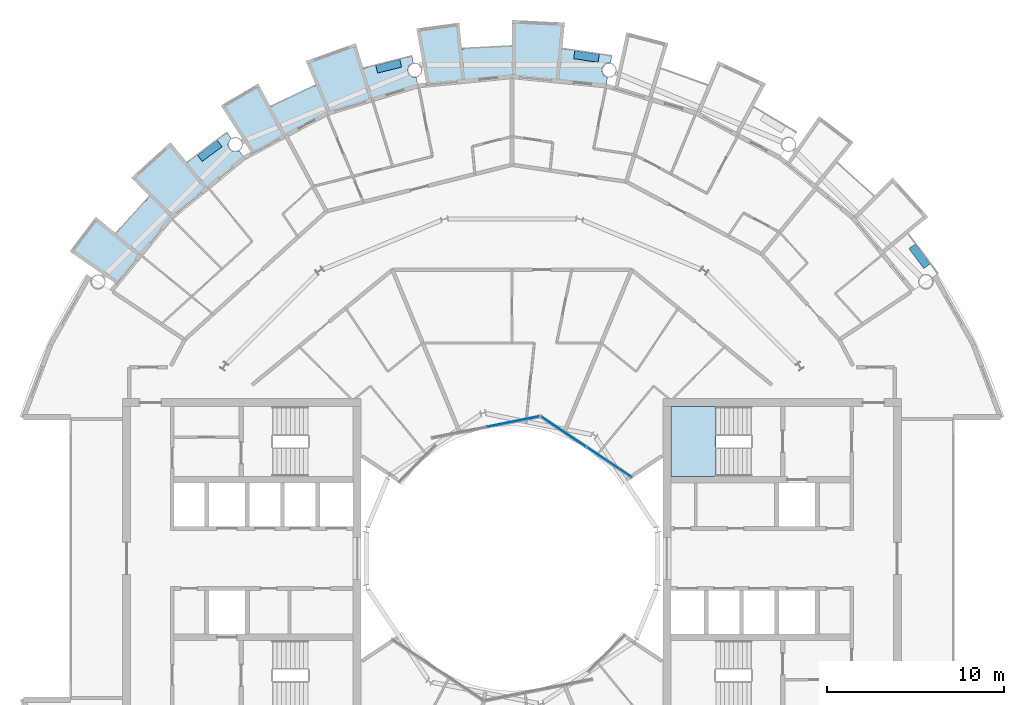
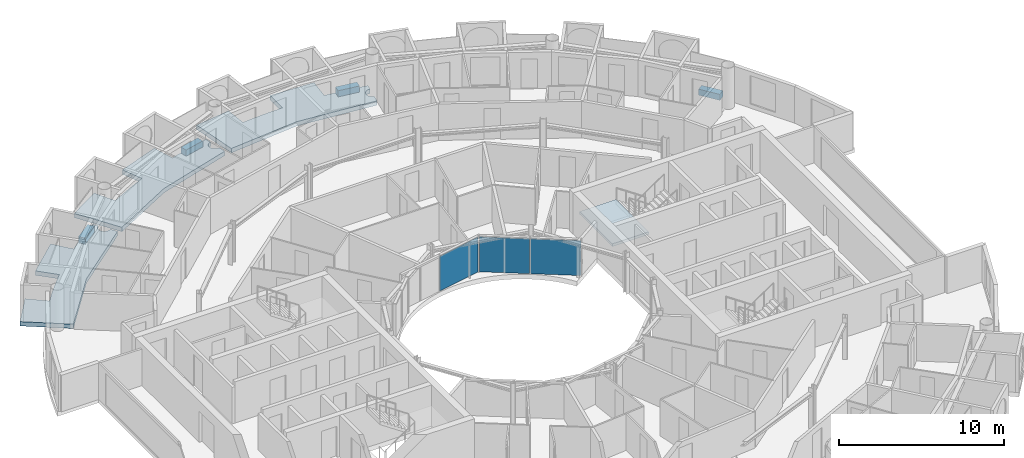
# One storey, part 13 of 29: 8 slabs, 3 plates, 3 elements without a shape of their own.
"""IFC4 building model written with IfcOpenShell, lengths in metres."""

from ifc_helpers import new_model, si_unit, direction, frame, origin, origin_2d, place, context, subcontext, project, spatial, polyline, rectangle, outline, extrude, material, layer, layer_set, type_object, element, aggregate, save


model = new_model("IFC4")

# Units and contexts
model_context = context("Model", 3, precision=1e-05, world=origin(), true_north=direction((0.0, 1.0)))
body_context = subcontext(model_context, "Body", "Model", "MODEL_VIEW")
ifc_project = project(units=[si_unit("LENGTHUNIT", "METRE"), si_unit("AREAUNIT", "SQUARE_METRE"), si_unit("VOLUMEUNIT", "CUBIC_METRE"), si_unit("PLANEANGLEUNIT", "RADIAN"), si_unit("MASSUNIT", "GRAM", prefix="KILO")], contexts=[model_context])

# Site, building, storey
site_placement = place(None, origin())
site = spatial("IfcSite", under=ifc_project, at=site_placement, CompositionType="ELEMENT")
building_placement = place(site_placement, origin())
building = spatial("IfcBuilding", under=site, at=building_placement, Name="Maasbend Ring Residences", CompositionType="ELEMENT")
storey_placement = place(building_placement, frame((0.0, 0.0, 215.75)))
storey = spatial("IfcBuildingStorey", under=building, at=storey_placement, Name="L62", CompositionType="ELEMENT", Elevation=215.75)

# Stair, slab
ifc_material_1 = material(Name="Concrete C40/50", Category="concrete")
stair_type = type_object("IfcStairType", Name="CORE STAIR 18 RISERS", PredefinedType="HALF_TURN_STAIR", material=ifc_material_1)
stair_placement = place(storey_placement, origin())
stair = element("IfcStair", 1, at=stair_placement, inside=storey, type_object=stair_type, Name="L62 Exit stair ST-E1", PredefinedType="HALF_TURN_STAIR")
ifc_material_2 = material(Name="Concrete C40/50", Category="concrete")
ifc_layer_1 = layer(ifc_material_2, 0.199951171875)
ifc_layer_set_1 = layer_set([ifc_layer_1], Name="Concrete C40/50")
slab_type_1 = type_object("IfcSlabType", Name="CORE STAIR LANDING 200", PredefinedType="LANDING", material=ifc_layer_set_1)
slab_1_placement = place(storey_placement, frame((0.0, 0.0, 1.324951171875)))
slab_1 = element("IfcSlab", 2, at=slab_1_placement, type_object=slab_type_1, Name="ST-E1 landing 1", PredefinedType="LANDING", context=body_context, shape_type="SweptSolid", body=[
    extrude(outline(polyline([(11.550048828125, 8.60009765625), (9.0, 8.60009765625), (9.0, 4.64990234375), (11.550048828125, 4.64990234375), (11.550048828125, 8.60009765625)])), origin(), (0.0, 0.0, 1.0), 0.199951171875),
])
aggregate(stair, [slab_1])

# Curtain wall, plates
ifc_material_3 = material(Name="Aluminium and clear glass", Category="aluminium")
ifc_layer_2 = layer(ifc_material_3, 0.179931640625)
ifc_layer_set_2 = layer_set([ifc_layer_2], Name="CW-W")
curtain_wall_type = type_object("IfcCurtainWallType", Name="CW-W", PredefinedType="NOTDEFINED", material=ifc_layer_set_2)
curtain_wall_1_placement = place(storey_placement, origin())
curtain_wall_1 = element("IfcCurtainWall", 3, at=curtain_wall_1_placement, inside=storey, type_object=curtain_wall_type, Name="Well curtain wall N1", PredefinedType="NOTDEFINED")
ifc_material_4 = material(Name="Glass clear laminated", Category="glass")
ifc_layer_3 = layer(ifc_material_4, 0.031982421875)
ifc_layer_set_3 = layer_set([ifc_layer_3], Name="CWP-W")
plate_type = type_object("IfcPlateType", Name="CWP-W", PredefinedType="CURTAIN_PANEL", material=ifc_layer_set_3)
plate_1_placement = place(storey_placement, frame((5.51123046875, 5.44580078125, 0.0), z_axis=(0.0, 0.0, 1.0), x_axis=(-0.831469612303, 0.55557023302, 0.0)))
plate_1 = element("IfcPlate", 4, at=plate_1_placement, type_object=plate_type, Name="Glass panel well face", PredefinedType="CURTAIN_PANEL", context=body_context, shape_type="SweptSolid", body=[
    extrude(rectangle(XDim=3.053955078125, YDim=0.031982421875, at=origin_2d()), origin(), (0.0, 0.0, 1.0), 2.580078125),
])
plate_2_placement = place(storey_placement, frame((2.922119140625, 7.17578125, 0.0), z_axis=(0.0, 0.0, 1.0), x_axis=(-0.831469612303, 0.55557023302, 0.0)))
plate_2 = element("IfcPlate", 5, at=plate_2_placement, type_object=plate_type, Name="Glass panel well face", PredefinedType="CURTAIN_PANEL", context=body_context, shape_type="SweptSolid", body=[
    extrude(rectangle(XDim=3.053955078125, YDim=0.031982421875, at=origin_2d()), origin(), (0.0, 0.0, 1.0), 2.580078125),
])
aggregate(curtain_wall_1, [plate_1, plate_2])

# Curtain wall, plate
curtain_wall_2_placement = place(storey_placement, origin())
curtain_wall_2 = element("IfcCurtainWall", 6, at=curtain_wall_2_placement, inside=storey, type_object=curtain_wall_type, Name="Well curtain wall N2", PredefinedType="NOTDEFINED")
plate_3_placement = place(storey_placement, frame((0.04638671875, 7.747802734375, 0.0), z_axis=(0.0, 0.0, 1.0), x_axis=(-0.980785280403, -0.195090322016, 0.0)))
plate_3 = element("IfcPlate", 7, at=plate_3_placement, type_object=plate_type, Name="Glass panel well face", PredefinedType="CURTAIN_PANEL", context=body_context, shape_type="SweptSolid", body=[
    extrude(rectangle(XDim=3.053955078125, YDim=0.031982421875, at=origin_2d()), origin(), (0.0, 0.0, 1.0), 2.580078125),
])
aggregate(curtain_wall_2, [plate_3])

# Slabs
ifc_material_5 = material(Name="Planting with climbing greenery")
ifc_layer_4 = layer(ifc_material_5, 0.449951171875)
ifc_layer_set_4 = layer_set([ifc_layer_4], Name="PLANTER-LG")
slab_type_2 = type_object("IfcSlabType", Name="PLANTER-LG", PredefinedType="USERDEFINED", material=ifc_layer_set_4)
slab_2_placement = place(storey_placement, frame((0.0, 0.0, -0.030029296875)))
element("IfcSlab", 8, at=slab_2_placement, inside=storey, type_object=slab_type_2, Name="Planter with climbing greenery 1", ObjectType="PLANTER", PredefinedType="USERDEFINED", context=body_context, shape_type="SweptSolid", body=[
    extrude(outline(polyline([(23.681884765625, 16.69189453125), (22.847900390625, 17.81689453125), (22.487060546875, 17.549072265625), (23.321044921875, 16.424072265625), (23.681884765625, 16.69189453125)])), origin(), (0.0, 0.0, 1.0), 0.449951171875),
])
slab_3_placement = place(storey_placement, frame((0.0, 0.0, -0.030029296875)))
element("IfcSlab", 9, at=slab_3_placement, inside=storey, type_object=slab_type_2, Name="Planter with climbing greenery 3", ObjectType="PLANTER", PredefinedType="USERDEFINED", context=body_context, shape_type="SweptSolid", body=[
    extrude(outline(polyline([(4.94189453125, 28.549072265625), (3.55810546875, 28.75390625), (3.491943359375, 28.30908203125), (4.8759765625, 28.10400390625), (4.94189453125, 28.549072265625)])), origin(), (0.0, 0.0, 1.0), 0.449951171875),
])
slab_4_placement = place(storey_placement, frame((0.0, 0.0, -0.030029296875)))
element("IfcSlab", 10, at=slab_4_placement, inside=storey, type_object=slab_type_2, Name="Planter with climbing greenery 4", ObjectType="PLANTER", PredefinedType="USERDEFINED", context=body_context, shape_type="SweptSolid", body=[
    extrude(outline(polyline([(-6.35888671875, 28.26708984375), (-7.717041015625, 27.927001953125), (-7.60791015625, 27.489990234375), (-6.25, 27.8310546875), (-6.35888671875, 28.26708984375)])), origin(), (0.0, 0.0, 1.0), 0.449951171875),
])
slab_5_placement = place(storey_placement, frame((0.0, 0.0, -0.030029296875)))
element("IfcSlab", 11, at=slab_5_placement, inside=storey, type_object=slab_type_2, Name="Planter with climbing greenery 5", ObjectType="PLANTER", PredefinedType="USERDEFINED", context=body_context, shape_type="SweptSolid", body=[
    extrude(outline(polyline([(-16.69189453125, 23.681884765625), (-17.81689453125, 22.847900390625), (-17.549072265625, 22.487060546875), (-16.424072265625, 23.321044921875), (-16.69189453125, 23.681884765625)])), origin(), (0.0, 0.0, 1.0), 0.449951171875),
])
ifc_material_6 = material(Name="Concrete C40/50", Category="concrete")
ifc_layer_5 = layer(ifc_material_6, 0.199951171875)
ifc_layer_set_5 = layer_set([ifc_layer_5], Name="Concrete C40/50")
slab_type_3 = type_object("IfcSlabType", Name="SL-LOGGIA", PredefinedType="FLOOR", material=ifc_layer_set_5)
slab_6_placement = place(storey_placement, frame((0.0, 0.0, -0.35009765625)))
element("IfcSlab", 12, at=slab_6_placement, inside=storey, type_object=slab_type_3, Name="Loggia floor 2", PredefinedType="FLOOR", context=body_context, shape_type="SweptSolid", body=[
    extrude(outline(polyline([(-13.6708984375, 25.575927734375), (-13.6708984375, 25.575927734375), (-13.6708984375, 25.575927734375), (-13.6708984375, 25.575927734375), (-13.6708984375, 25.575927734375), (-13.6708984375, 25.575927734375), (-13.6708984375, 25.575927734375), (-13.669921875, 25.575927734375), (-13.669921875, 25.575927734375), (-13.669921875, 25.575927734375), (-13.669921875, 25.575927734375), (-13.669921875, 25.575927734375), (-13.669921875, 25.575927734375), (-13.669921875, 25.575927734375), (-13.669921875, 25.575927734375), (-13.669921875, 25.575927734375), (-13.669921875, 25.575927734375), (-12.825927734375, 26.009033203125), (-12.825927734375, 26.009033203125), (-11.968994140625, 26.4150390625), (-11.968994140625, 26.4150390625), (-11.097900390625, 26.7919921875), (-11.097900390625, 26.7919921875), (-11.097900390625, 26.7919921875), (-11.097900390625, 26.7919921875), (-11.097900390625, 26.7919921875), (-11.097900390625, 26.7919921875), (-11.097900390625, 26.7919921875), (-11.097900390625, 26.79296875), (-11.097900390625, 26.79296875), (-11.097900390625, 26.79296875), (-11.097900390625, 26.79296875), (-11.097900390625, 26.79296875), (-11.097900390625, 26.79296875), (-11.097900390625, 26.79296875), (-11.097900390625, 26.79296875), (-11.097900390625, 26.79296875), (-11.097900390625, 26.79296875), (-11.672119140625, 28.177978515625), (-11.672119140625, 28.177978515625), (-11.672119140625, 28.177978515625), (-8.85400390625, 29.18701171875), (-8.85400390625, 29.18701171875), (-8.85400390625, 29.18701171875), (-8.41796875, 27.751953125), (-8.41796875, 27.751953125), (-8.41796875, 27.751953125), (-8.41796875, 27.751953125), (-8.41796875, 27.751953125), (-8.41796875, 27.751953125), (-8.41796875, 27.751953125), (-8.41796875, 27.7509765625), (-8.41796875, 27.7509765625), (-8.41796875, 27.7509765625), (-8.41796875, 27.7509765625), (-8.41796875, 27.7509765625), (-8.41796875, 27.7509765625), (-8.41796875, 27.7509765625), (-8.41796875, 27.7509765625), (-8.41796875, 27.7509765625), (-8.41796875, 27.7509765625), (-7.506103515625, 28.011962890625), (-7.506103515625, 28.011962890625), (-6.5849609375, 28.241943359375), (-6.5849609375, 28.241943359375), (-5.657958984375, 28.443115234375), (-5.657958984375, 28.443115234375), (-5.657958984375, 28.443115234375), (-5.5810546875, 28.056884765625), (-5.591064453125, 28.054931640625), (-5.60009765625, 28.052001953125), (-5.610107421875, 28.050048828125), (-5.6201171875, 28.047119140625), (-5.62890625, 28.0439453125), (-5.637939453125, 28.041015625), (-5.64794921875, 28.037109375), (-5.656982421875, 28.033935546875), (-5.666015625, 28.030029296875), (-5.675048828125, 28.02587890625), (-5.68408203125, 28.02099609375), (-5.693115234375, 28.01708984375), (-5.701904296875, 28.011962890625), (-5.7099609375, 28.007080078125), (-5.718994140625, 28.001953125), (-5.72705078125, 27.99609375), (-5.736083984375, 27.989990234375), (-5.743896484375, 27.985107421875), (-5.751953125, 27.97900390625), (-5.759033203125, 27.971923828125), (-5.76708984375, 27.966064453125), (-5.77392578125, 27.958984375), (-5.781982421875, 27.952880859375), (-5.7890625, 27.946044921875), (-5.7958984375, 27.93798828125), (-5.802978515625, 27.930908203125), (-5.80908203125, 27.924072265625), (-5.81591796875, 27.916015625), (-5.822021484375, 27.907958984375), (-5.827880859375, 27.89990234375), (-5.833984375, 27.89208984375), (-5.839111328125, 27.884033203125), (-5.844970703125, 27.8759765625), (-5.85009765625, 27.866943359375), (-5.85498046875, 27.85791015625), (-5.860107421875, 27.85009765625), (-5.864990234375, 27.841064453125), (-5.868896484375, 27.83203125), (-5.873046875, 27.822998046875), (-5.876953125, 27.81396484375), (-5.881103515625, 27.803955078125), (-5.884033203125, 27.794921875), (-5.886962890625, 27.785888671875), (-5.889892578125, 27.77587890625), (-5.89306640625, 27.76708984375), (-5.89599609375, 27.757080078125), (-5.89794921875, 27.7470703125), (-5.89990234375, 27.737060546875), (-5.902099609375, 27.72802734375), (-5.904052734375, 27.718017578125), (-5.905029296875, 27.7080078125), (-5.906005859375, 27.697998046875), (-5.906982421875, 27.68798828125), (-5.907958984375, 27.677978515625), (-5.907958984375, 27.66796875), (-5.907958984375, 27.657958984375), (-5.907958984375, 27.64794921875), (-5.907958984375, 27.637939453125), (-5.906982421875, 27.6279296875), (-5.906005859375, 27.617919921875), (-5.905029296875, 27.60791015625), (-5.904052734375, 27.597900390625), (-5.902099609375, 27.589111328125), (-5.89990234375, 27.5791015625), (-5.89794921875, 27.569091796875), (-5.89599609375, 27.55908203125), (-5.89306640625, 27.550048828125), (-5.889892578125, 27.5400390625), (-5.886962890625, 27.531005859375), (-5.884033203125, 27.52099609375), (-5.881103515625, 27.511962890625), (-5.876953125, 27.5029296875), (-5.873046875, 27.492919921875), (-5.868896484375, 27.48388671875), (-5.864990234375, 27.47509765625), (-5.860107421875, 27.466064453125), (-5.85498046875, 27.4580078125), (-5.85009765625, 27.448974609375), (-5.844970703125, 27.44091796875), (-5.839111328125, 27.431884765625), (-5.833984375, 27.424072265625), (-5.827880859375, 27.416015625), (-5.822021484375, 27.407958984375), (-5.81591796875, 27.39990234375), (-5.80908203125, 27.39306640625), (-5.802978515625, 27.385009765625), (-5.7958984375, 27.3779296875), (-5.7890625, 27.37109375), (-5.781982421875, 27.364013671875), (-5.77392578125, 27.35693359375), (-5.76708984375, 27.35009765625), (-5.759033203125, 27.343994140625), (-5.751953125, 27.337890625), (-5.743896484375, 27.33203125), (-5.736083984375, 27.325927734375), (-5.72705078125, 27.320068359375), (-5.718994140625, 27.31494140625), (-5.7099609375, 27.30908203125), (-5.701904296875, 27.303955078125), (-5.693115234375, 27.300048828125), (-5.68408203125, 27.294921875), (-5.675048828125, 27.291015625), (-5.666015625, 27.285888671875), (-5.656982421875, 27.282958984375), (-5.64794921875, 27.279052734375), (-5.637939453125, 27.27490234375), (-5.62890625, 27.27197265625), (-5.6201171875, 27.26904296875), (-5.610107421875, 27.26611328125), (-5.60009765625, 27.263916015625), (-5.591064453125, 27.260986328125), (-5.5810546875, 27.259033203125), (-5.571044921875, 27.258056640625), (-5.56103515625, 27.256103515625), (-5.551025390625, 27.2548828125), (-5.541015625, 27.25390625), (-5.531005859375, 27.2529296875), (-5.52099609375, 27.251953125), (-5.510986328125, 27.251953125), (-5.501953125, 27.251953125), (-5.491943359375, 27.251953125), (-5.48193359375, 27.251953125), (-5.471923828125, 27.2529296875), (-5.4619140625, 27.25390625), (-5.451904296875, 27.2548828125), (-5.44189453125, 27.256103515625), (-5.431884765625, 27.258056640625), (-5.422119140625, 27.259033203125), (-5.325927734375, 26.77490234375), (-5.325927734375, 26.77490234375), (-5.325927734375, 26.77490234375), (-7.886962890625, 25.9990234375), (-10.447021484375, 25.221923828125), (-10.447021484375, 25.221923828125), (-10.447021484375, 25.221923828125), (-12.806884765625, 23.9609375), (-14.73291015625, 22.930908203125), (-14.73291015625, 22.930908203125), (-14.73291015625, 22.930908203125), (-16.487060546875, 25.659912109375), (-16.487060546875, 25.659912109375), (-16.487060546875, 25.659912109375), (-14.3779296875, 26.89892578125), (-14.3779296875, 26.89892578125), (-14.3779296875, 26.89892578125), (-13.6708984375, 25.575927734375)])), origin(), (0.0, 0.0, 1.0), 0.320068359375),
])
slab_7_placement = place(storey_placement, frame((0.0, 0.0, -0.35009765625)))
element("IfcSlab", 13, at=slab_7_placement, inside=storey, type_object=slab_type_3, Name="Loggia floor 3", PredefinedType="FLOOR", context=body_context, shape_type="SweptSolid", body=[
    extrude(outline(polyline([(-2.843017578125, 28.861083984375), (-2.843017578125, 28.861083984375), (-2.843017578125, 28.861083984375), (-2.843017578125, 28.861083984375), (-2.842041015625, 28.861083984375), (-2.842041015625, 28.861083984375), (-2.842041015625, 28.861083984375), (-2.842041015625, 28.861083984375), (-2.842041015625, 28.861083984375), (-2.842041015625, 28.860107421875), (-2.842041015625, 28.860107421875), (-2.842041015625, 28.860107421875), (-2.842041015625, 28.860107421875), (-2.842041015625, 28.860107421875), (-2.842041015625, 28.860107421875), (-2.842041015625, 28.860107421875), (-2.842041015625, 28.860107421875), (-1.89697265625, 28.93798828125), (-1.89697265625, 28.93798828125), (-0.948974609375, 28.98388671875), (-0.948974609375, 28.98388671875), (0.0, 29.0), (0.0, 29.0), (0.0, 29.0), (0.0, 29.0), (0.0, 29.0), (0.0, 29.0), (0.0, 29.0), (0.0, 29.0), (0.0, 29.0), (0.0, 29.0), (0.0, 29.0), (0.0, 29.0), (0.0, 29.0), (0.0, 29.0), (0.0, 29.0), (0.0, 29.0), (0.0, 29.0), (0.0, 30.5), (0.0, 30.5), (0.0, 30.5), (2.989990234375, 30.35302734375), (2.989990234375, 30.35302734375), (2.989990234375, 30.35302734375), (2.843017578125, 28.861083984375), (2.843017578125, 28.861083984375), (2.843017578125, 28.861083984375), (2.843017578125, 28.861083984375), (2.843017578125, 28.861083984375), (2.843017578125, 28.861083984375), (2.843017578125, 28.861083984375), (2.843017578125, 28.861083984375), (2.843017578125, 28.860107421875), (2.843017578125, 28.860107421875), (2.843017578125, 28.860107421875), (2.843017578125, 28.860107421875), (2.843017578125, 28.860107421875), (2.843017578125, 28.860107421875), (2.843017578125, 28.860107421875), (2.843017578125, 28.860107421875), (2.843017578125, 28.860107421875), (3.784912109375, 28.751953125), (3.784912109375, 28.751953125), (4.72412109375, 28.613037109375), (4.72412109375, 28.613037109375), (5.657958984375, 28.443115234375), (5.657958984375, 28.443115234375), (5.657958984375, 28.443115234375), (5.5810546875, 28.056884765625), (5.5810546875, 28.056884765625), (5.571044921875, 28.05908203125), (5.56103515625, 28.06005859375), (5.551025390625, 28.06201171875), (5.541015625, 28.06298828125), (5.531005859375, 28.06298828125), (5.52099609375, 28.06396484375), (5.510986328125, 28.06396484375), (5.501953125, 28.06494140625), (5.491943359375, 28.06396484375), (5.48193359375, 28.06396484375), (5.471923828125, 28.06298828125), (5.4619140625, 28.06298828125), (5.451904296875, 28.06201171875), (5.44189453125, 28.06005859375), (5.431884765625, 28.05908203125), (5.422119140625, 28.056884765625), (5.412109375, 28.054931640625), (5.403076171875, 28.052001953125), (5.39306640625, 28.050048828125), (5.383056640625, 28.047119140625), (5.3740234375, 28.0439453125), (5.364990234375, 28.041015625), (5.35498046875, 28.037109375), (5.345947265625, 28.033935546875), (5.3369140625, 28.030029296875), (5.327880859375, 28.02587890625), (5.319091796875, 28.02099609375), (5.31005859375, 28.01708984375), (5.301025390625, 28.011962890625), (5.29296875, 28.007080078125), (5.283935546875, 28.001953125), (5.27587890625, 27.99609375), (5.26708984375, 27.989990234375), (5.259033203125, 27.985107421875), (5.2509765625, 27.97900390625), (5.243896484375, 27.971923828125), (5.236083984375, 27.966064453125), (5.22900390625, 27.958984375), (5.220947265625, 27.952880859375), (5.214111328125, 27.946044921875), (5.20703125, 27.93798828125), (5.199951171875, 27.930908203125), (5.194091796875, 27.924072265625), (5.18701171875, 27.916015625), (5.180908203125, 27.907958984375), (5.175048828125, 27.89990234375), (5.1689453125, 27.89208984375), (5.1640625, 27.884033203125), (5.157958984375, 27.8759765625), (5.153076171875, 27.866943359375), (5.14794921875, 27.85791015625), (5.14306640625, 27.85009765625), (5.137939453125, 27.841064453125), (5.134033203125, 27.83203125), (5.1298828125, 27.822998046875), (5.1259765625, 27.81396484375), (5.1220703125, 27.803955078125), (5.118896484375, 27.794921875), (5.115966796875, 27.785888671875), (5.113037109375, 27.77587890625), (5.110107421875, 27.76708984375), (5.10693359375, 27.757080078125), (5.10498046875, 27.7470703125), (5.10302734375, 27.737060546875), (5.10107421875, 27.72802734375), (5.09912109375, 27.718017578125), (5.097900390625, 27.7080078125), (5.096923828125, 27.697998046875), (5.095947265625, 27.68798828125), (5.094970703125, 27.677978515625), (5.094970703125, 27.66796875), (5.094970703125, 27.657958984375), (5.094970703125, 27.64794921875), (5.094970703125, 27.637939453125), (5.095947265625, 27.6279296875), (5.096923828125, 27.617919921875), (5.097900390625, 27.60791015625), (5.09912109375, 27.597900390625), (5.10107421875, 27.589111328125), (5.10302734375, 27.5791015625), (5.10498046875, 27.569091796875), (5.10693359375, 27.55908203125), (5.110107421875, 27.550048828125), (5.113037109375, 27.5400390625), (5.115966796875, 27.531005859375), (5.118896484375, 27.52099609375), (5.1220703125, 27.511962890625), (5.1259765625, 27.5029296875), (5.1298828125, 27.492919921875), (5.134033203125, 27.48388671875), (5.137939453125, 27.47509765625), (5.14306640625, 27.466064453125), (5.14794921875, 27.4580078125), (5.153076171875, 27.448974609375), (5.157958984375, 27.44091796875), (5.1640625, 27.431884765625), (5.1689453125, 27.424072265625), (5.175048828125, 27.416015625), (5.180908203125, 27.407958984375), (5.18701171875, 27.39990234375), (5.194091796875, 27.39306640625), (5.199951171875, 27.385009765625), (5.20703125, 27.3779296875), (5.214111328125, 27.37109375), (5.220947265625, 27.364013671875), (5.22900390625, 27.35693359375), (5.236083984375, 27.35009765625), (5.243896484375, 27.343994140625), (5.2509765625, 27.337890625), (5.259033203125, 27.33203125), (5.26708984375, 27.325927734375), (5.27587890625, 27.320068359375), (5.283935546875, 27.31494140625), (5.29296875, 27.30908203125), (5.301025390625, 27.303955078125), (5.31005859375, 27.300048828125), (5.319091796875, 27.294921875), (5.327880859375, 27.291015625), (5.3369140625, 27.285888671875), (5.345947265625, 27.282958984375), (5.35498046875, 27.279052734375), (5.364990234375, 27.27490234375), (5.3740234375, 27.27197265625), (5.383056640625, 27.26904296875), (5.39306640625, 27.26611328125), (5.403076171875, 27.263916015625), (5.412109375, 27.260986328125), (5.422119140625, 27.259033203125), (5.422119140625, 27.259033203125), (5.325927734375, 26.77490234375), (5.325927734375, 26.77490234375), (5.325927734375, 26.77490234375), (2.6630859375, 27.0380859375), (0.0, 27.300048828125), (0.0, 27.300048828125), (0.0, 27.300048828125), (-2.6630859375, 27.0380859375), (-4.8359375, 26.823974609375), (-4.8359375, 26.823974609375), (-4.8359375, 26.823974609375), (-5.412109375, 30.01611328125), (-5.412109375, 30.01611328125), (-5.412109375, 30.01611328125), (-2.989990234375, 30.35302734375), (-2.989990234375, 30.35302734375), (-2.989990234375, 30.35302734375), (-2.843017578125, 28.861083984375)])), origin(), (0.0, 0.0, 1.0), 0.320068359375),
])
slab_8_placement = place(storey_placement, frame((0.0, 0.0, -0.35009765625)))
element("IfcSlab", 14, at=slab_8_placement, inside=storey, type_object=slab_type_3, Name="Loggia floor 5", PredefinedType="FLOOR", context=body_context, shape_type="SweptSolid", body=[
    extrude(outline(polyline([(-22.41796875, 18.39794921875), (-22.41796875, 18.39794921875), (-22.41796875, 18.39794921875), (-22.41796875, 18.39794921875), (-22.41796875, 18.39794921875), (-22.4169921875, 18.39794921875), (-22.4169921875, 18.39794921875), (-22.4169921875, 18.39794921875), (-22.4169921875, 18.39794921875), (-22.4169921875, 18.39794921875), (-22.4169921875, 18.39794921875), (-22.4169921875, 18.39794921875), (-22.4169921875, 18.39794921875), (-22.4169921875, 18.39794921875), (-22.4169921875, 18.39794921875), (-22.4169921875, 18.39794921875), (-22.4169921875, 18.39794921875), (-21.802978515625, 19.12109375), (-21.802978515625, 19.12109375), (-21.166015625, 19.823974609375), (-21.166015625, 19.823974609375), (-20.506103515625, 20.506103515625), (-20.506103515625, 20.506103515625), (-20.506103515625, 20.506103515625), (-20.506103515625, 20.506103515625), (-20.506103515625, 20.506103515625), (-20.506103515625, 20.506103515625), (-20.506103515625, 20.506103515625), (-20.506103515625, 20.506103515625), (-20.506103515625, 20.506103515625), (-20.506103515625, 20.506103515625), (-20.506103515625, 20.506103515625), (-20.506103515625, 20.506103515625), (-20.506103515625, 20.506103515625), (-20.506103515625, 20.506103515625), (-20.506103515625, 20.506103515625), (-20.506103515625, 20.506103515625), (-20.506103515625, 20.506103515625), (-21.56689453125, 21.56689453125), (-21.56689453125, 21.56689453125), (-21.56689453125, 21.56689453125), (-19.34912109375, 23.576904296875), (-19.34912109375, 23.576904296875), (-19.34912109375, 23.576904296875), (-18.39794921875, 22.41796875), (-18.39794921875, 22.41796875), (-18.39794921875, 22.41796875), (-18.39794921875, 22.41796875), (-18.39794921875, 22.41796875), (-18.39794921875, 22.41796875), (-18.39697265625, 22.41796875), (-18.39697265625, 22.41796875), (-18.39697265625, 22.41796875), (-18.39697265625, 22.41796875), (-18.39697265625, 22.41796875), (-18.39697265625, 22.41796875), (-18.39697265625, 22.41796875), (-18.39697265625, 22.41796875), (-18.39697265625, 22.41796875), (-18.39697265625, 22.41796875), (-18.39697265625, 22.41796875), (-17.654052734375, 23.007080078125), (-17.654052734375, 23.007080078125), (-16.89208984375, 23.572998046875), (-16.89208984375, 23.572998046875), (-16.112060546875, 24.113037109375), (-16.112060546875, 24.113037109375), (-16.112060546875, 24.113037109375), (-15.89306640625, 23.784912109375), (-15.89306640625, 23.784912109375), (-15.90087890625, 23.780029296875), (-15.908935546875, 23.77392578125), (-15.9169921875, 23.76806640625), (-15.925048828125, 23.761962890625), (-15.93310546875, 23.7548828125), (-15.93994140625, 23.7490234375), (-15.947021484375, 23.741943359375), (-15.955078125, 23.735107421875), (-15.9619140625, 23.72802734375), (-15.968017578125, 23.719970703125), (-15.97509765625, 23.712890625), (-15.98095703125, 23.705078125), (-15.988037109375, 23.697021484375), (-15.993896484375, 23.68994140625), (-15.9990234375, 23.680908203125), (-16.0048828125, 23.673095703125), (-16.010986328125, 23.6650390625), (-16.01611328125, 23.656005859375), (-16.02099609375, 23.64794921875), (-16.02587890625, 23.638916015625), (-16.030029296875, 23.6298828125), (-16.034912109375, 23.62109375), (-16.0390625, 23.612060546875), (-16.04296875, 23.60302734375), (-16.0458984375, 23.593994140625), (-16.050048828125, 23.583984375), (-16.052978515625, 23.574951171875), (-16.055908203125, 23.56494140625), (-16.05908203125, 23.555908203125), (-16.06103515625, 23.5458984375), (-16.06396484375, 23.535888671875), (-16.06591796875, 23.527099609375), (-16.068115234375, 23.51708984375), (-16.069091796875, 23.507080078125), (-16.071044921875, 23.4970703125), (-16.072021484375, 23.487060546875), (-16.072021484375, 23.47705078125), (-16.072998046875, 23.467041015625), (-16.072998046875, 23.45703125), (-16.073974609375, 23.447021484375), (-16.072998046875, 23.43701171875), (-16.072998046875, 23.427001953125), (-16.072021484375, 23.4169921875), (-16.072021484375, 23.407958984375), (-16.071044921875, 23.39794921875), (-16.069091796875, 23.387939453125), (-16.068115234375, 23.3779296875), (-16.06591796875, 23.367919921875), (-16.06396484375, 23.35791015625), (-16.06103515625, 23.34912109375), (-16.05908203125, 23.339111328125), (-16.055908203125, 23.3291015625), (-16.052978515625, 23.320068359375), (-16.050048828125, 23.31005859375), (-16.0458984375, 23.301025390625), (-16.04296875, 23.2919921875), (-16.0390625, 23.282958984375), (-16.034912109375, 23.27392578125), (-16.030029296875, 23.264892578125), (-16.02587890625, 23.256103515625), (-16.02099609375, 23.2470703125), (-16.01611328125, 23.238037109375), (-16.010986328125, 23.22998046875), (-16.0048828125, 23.221923828125), (-15.9990234375, 23.212890625), (-15.993896484375, 23.205078125), (-15.988037109375, 23.197021484375), (-15.98095703125, 23.18994140625), (-15.97509765625, 23.181884765625), (-15.968017578125, 23.174072265625), (-15.9619140625, 23.1669921875), (-15.955078125, 23.159912109375), (-15.947021484375, 23.153076171875), (-15.93994140625, 23.14599609375), (-15.93310546875, 23.139892578125), (-15.925048828125, 23.133056640625), (-15.9169921875, 23.126953125), (-15.908935546875, 23.12109375), (-15.90087890625, 23.114990234375), (-15.89306640625, 23.10888671875), (-15.885009765625, 23.10400390625), (-15.8759765625, 23.09912109375), (-15.866943359375, 23.093994140625), (-15.85888671875, 23.089111328125), (-15.85009765625, 23.083984375), (-15.841064453125, 23.080078125), (-15.83203125, 23.075927734375), (-15.822998046875, 23.072021484375), (-15.81298828125, 23.068115234375), (-15.803955078125, 23.06494140625), (-15.794921875, 23.06103515625), (-15.784912109375, 23.05810546875), (-15.77587890625, 23.055908203125), (-15.76611328125, 23.052978515625), (-15.756103515625, 23.051025390625), (-15.74609375, 23.049072265625), (-15.737060546875, 23.047119140625), (-15.72705078125, 23.044921875), (-15.717041015625, 23.0439453125), (-15.70703125, 23.04296875), (-15.697021484375, 23.0419921875), (-15.68701171875, 23.041015625), (-15.677001953125, 23.041015625), (-15.6669921875, 23.041015625), (-15.656982421875, 23.041015625), (-15.64697265625, 23.041015625), (-15.636962890625, 23.0419921875), (-15.626953125, 23.04296875), (-15.616943359375, 23.0439453125), (-15.60693359375, 23.044921875), (-15.597900390625, 23.047119140625), (-15.587890625, 23.049072265625), (-15.577880859375, 23.051025390625), (-15.568115234375, 23.052978515625), (-15.55908203125, 23.055908203125), (-15.549072265625, 23.05810546875), (-15.5400390625, 23.06103515625), (-15.530029296875, 23.06494140625), (-15.52099609375, 23.068115234375), (-15.511962890625, 23.072021484375), (-15.501953125, 23.075927734375), (-15.492919921875, 23.080078125), (-15.48388671875, 23.083984375), (-15.47509765625, 23.089111328125), (-15.467041015625, 23.093994140625), (-15.4580078125, 23.09912109375), (-15.449951171875, 23.10400390625), (-15.44091796875, 23.10888671875), (-15.44091796875, 23.10888671875), (-15.1669921875, 22.698974609375), (-15.1669921875, 22.698974609375), (-15.1669921875, 22.698974609375), (-17.236083984375, 21.001953125), (-19.303955078125, 19.303955078125), (-19.303955078125, 19.303955078125), (-19.303955078125, 19.303955078125), (-21.001953125, 17.236083984375), (-22.386962890625, 15.547119140625), (-22.386962890625, 15.547119140625), (-22.386962890625, 15.547119140625), (-25.051025390625, 17.39794921875), (-25.051025390625, 17.39794921875), (-25.051025390625, 17.39794921875), (-23.576904296875, 19.34912109375), (-23.576904296875, 19.34912109375), (-23.576904296875, 19.34912109375), (-22.41796875, 18.39794921875)])), origin(), (0.0, 0.0, 1.0), 0.320068359375),
])

save(model, "model.ifc")
